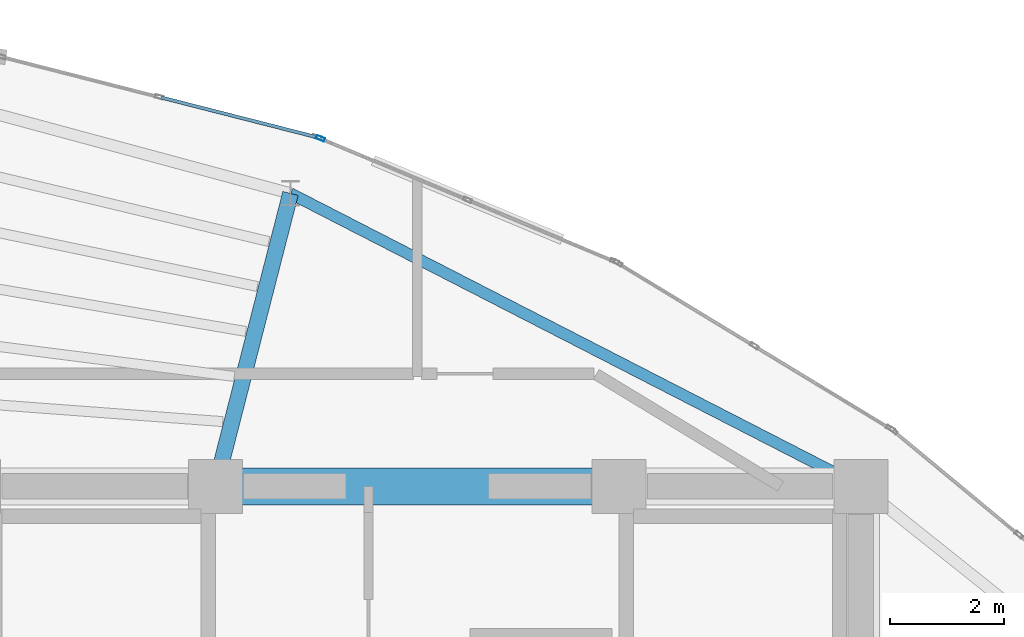
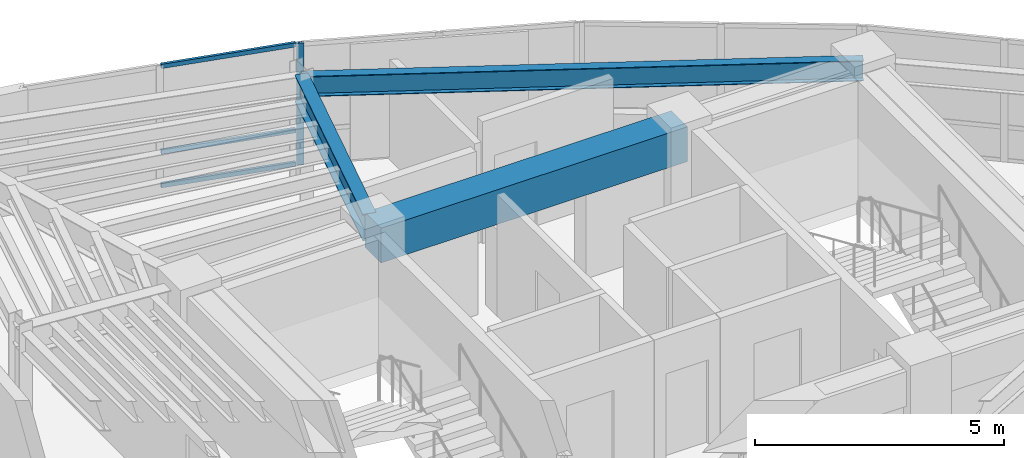
# One storey, part 8 of 14: 4 members, 3 beams, 2 elements without a shape of their own.
"""IFC4 building model written with IfcOpenShell, lengths in metres."""

from ifc_helpers import new_model, si_unit, direction, frame, origin, origin_2d, place, context, subcontext, project, spatial, rectangle, hollow_rectangle, i_section, extrude, material, layer, layer_set, material_profile, profile_set, type_object, element, aggregate, save


model = new_model("IFC4")

# Units and contexts
model_context = context("Model", 3, precision=1e-05, world=origin(), true_north=direction((0.0, 1.0)))
body_context = subcontext(model_context, "Body", "Model", "MODEL_VIEW")
ifc_project = project(units=[si_unit("LENGTHUNIT", "METRE"), si_unit("AREAUNIT", "SQUARE_METRE"), si_unit("VOLUMEUNIT", "CUBIC_METRE"), si_unit("PLANEANGLEUNIT", "RADIAN"), si_unit("MASSUNIT", "GRAM", prefix="KILO")], contexts=[model_context])

# Site, building, storey
site_placement = place(None, origin())
site = spatial("IfcSite", under=ifc_project, at=site_placement, CompositionType="ELEMENT")
building_placement = place(site_placement, origin())
building = spatial("IfcBuilding", under=site, at=building_placement, Name="Menara Vayukalpa", CompositionType="ELEMENT")
storey_placement = place(building_placement, frame((0.0, 0.0, 299.219970703125)))
storey = spatial("IfcBuildingStorey", under=building, at=storey_placement, Name="L76", CompositionType="ELEMENT", Elevation=299.219970703125)

# Beams
ifc_material_1 = material(Name="Concrete C60/75", Category="concrete")
ifc_material_profile_1 = material_profile(ifc_material_1, rectangle(XDim=0.64990234375, YDim=0.85009765625, at=origin_2d()), Name="RC 650x850")
ifc_profile_set_1 = profile_set([ifc_material_profile_1], Name="Concrete C60/75")
beam_type_1 = type_object("IfcBeamType", Name="BM-CB1", PredefinedType="BEAM", material=ifc_profile_set_1)
beam_1_placement = place(storey_placement, frame((22.050048828125, 26.800048828125, 2.554931640625), z_axis=(1.0, 0.0, 0.0), x_axis=(0.0, 1.0, 0.0)))
element("IfcBeam", 1, at=beam_1_placement, inside=storey, type_object=beam_type_1, Name="L76 Core Tie Beam CBR5", PredefinedType="BEAM", context=body_context, shape_type="SweptSolid", body=[
    extrude(rectangle(XDim=0.64990234375, YDim=0.85009765625, at=origin_2d()), origin(), (0.0, 0.0, 1.0), 7.099853515625),
])
ifc_material_2 = material(Name="Steel S355", Category="steel")
ifc_material_profile_2 = material_profile(ifc_material_2, i_section(OverallWidth=0.280029296875, OverallDepth=0.64990234375, WebThickness=0.012939453125, FlangeThickness=0.02197265625, at=origin_2d()), Name="WF 650x280x13x22")
ifc_profile_set_2 = profile_set([ifc_material_profile_2], Name="Steel S355")
beam_type_2 = type_object("IfcBeamType", Name="BM-PG6", PredefinedType="BEAM", material=ifc_profile_set_2)
beam_2_placement = place(storey_placement, frame((22.112060546875, 27.042236328125, 2.655029296875), z_axis=(0.248427525231, 0.968650486351, 0.0), x_axis=(-0.968650486351, 0.248427525231, 0.0)))
element("IfcBeam", 2, at=beam_2_placement, inside=storey, type_object=beam_type_2, Name="L76 Primary Radial Girder RG03", PredefinedType="BEAM", context=body_context, shape_type="SweptSolid", body=[
    extrude(i_section(OverallWidth=0.280029296875, OverallDepth=0.64990234375, WebThickness=0.012939453125, FlangeThickness=0.02197265625, at=origin_2d()), origin(), (0.0, 0.0, 1.0), 5.066162109375),
])
ifc_material_3 = material(Name="Steel S355", Category="steel")
ifc_material_profile_3 = material_profile(ifc_material_3, i_section(OverallWidth=0.199951171875, OverallDepth=0.5, WebThickness=0.010009765625, FlangeThickness=0.01611328125, at=origin_2d()), Name="WF 500x200x10x16")
ifc_profile_set_3 = profile_set([ifc_material_profile_3], Name="Steel S355")
beam_type_3 = type_object("IfcBeamType", Name="BM-SP3", PredefinedType="SPANDREL", material=ifc_profile_set_3)
beam_3_placement = place(storey_placement, frame((33.39990234375, 26.800048828125, 2.72998046875), z_axis=(-0.889594604964, 0.456750959297, 0.0), x_axis=(-0.456750959297, -0.889594604964, 0.0)))
element("IfcBeam", 3, at=beam_3_placement, inside=storey, type_object=beam_type_3, Name="L76 Perimeter Spandrel Beam SP02", PredefinedType="SPANDREL", context=body_context, shape_type="SweptSolid", body=[
    extrude(i_section(OverallWidth=0.199951171875, OverallDepth=0.5, WebThickness=0.010009765625, FlangeThickness=0.01611328125, at=origin_2d()), origin(), (0.0, 0.0, 1.0), 11.27392578125),
])

# Curtain wall, member
ifc_material_4 = material(Name="Anodised Terracotta Aluminium Alloy 6063-T6", Category="masonry")
ifc_layer = layer(ifc_material_4, 0.14990234375)
ifc_layer_set = layer_set([ifc_layer], Name="Anodised Terracotta Aluminium Alloy 6063-T6")
curtain_wall_type = type_object("IfcCurtainWallType", Name="CW-CW7", PredefinedType="USERDEFINED", material=ifc_layer_set)
curtain_wall_1_placement = place(storey_placement, origin())
curtain_wall_1 = element("IfcCurtainWall", 4, at=curtain_wall_1_placement, inside=storey, type_object=curtain_wall_type, Name="L76 Crown Drum Screened Curtain Wall CW7 05", ObjectType="UNITISED", PredefinedType="USERDEFINED")
ifc_material_5 = material(Name="Anodised Terracotta Aluminium Alloy 6063-T6", Category="masonry")
ifc_material_profile_4 = material_profile(ifc_material_5, hollow_rectangle(XDim=0.06494140625, YDim=0.14990234375, WallThickness=0.00341796875, at=origin_2d()), Name="ALU 65x150x3.5")
ifc_profile_set_4 = profile_set([ifc_material_profile_4], Name="Anodised Terracotta Aluminium Alloy 6063-T6")
member_type_1 = type_object("IfcMemberType", Name="CWM-CW7", PredefinedType="MULLION", material=ifc_profile_set_4)
member_1_placement = place(storey_placement, frame((23.89990234375, 32.9169921875, 0.0), z_axis=(0.0, 0.0, 1.0), x_axis=(-0.385898361946, -0.922541302191, 0.0)))
member_1 = element("IfcMember", 5, at=member_1_placement, type_object=member_type_1, Name="CW7 mullion 3", PredefinedType="MULLION", context=body_context, shape_type="SweptSolid", body=[
    extrude(hollow_rectangle(XDim=0.06494140625, YDim=0.14990234375, WallThickness=0.00341796875, at=origin_2d()), origin(), (0.0, 0.0, 1.0), 2.97998046875),
])
aggregate(curtain_wall_1, [member_1])

# Curtain wall, members
curtain_wall_2_placement = place(storey_placement, origin())
curtain_wall_2 = element("IfcCurtainWall", 6, at=curtain_wall_2_placement, inside=storey, type_object=curtain_wall_type, Name="L76 Crown Drum Screened Curtain Wall CW7 06", ObjectType="UNITISED", PredefinedType="USERDEFINED")
ifc_material_6 = material(Name="Anodised Terracotta Aluminium Alloy 6063-T6", Category="masonry")
ifc_material_profile_5 = material_profile(ifc_material_6, hollow_rectangle(XDim=0.06005859375, YDim=0.10498046875, WallThickness=0.0029296875, at=origin_2d()), Name="ALU 60x105x3")
ifc_profile_set_5 = profile_set([ifc_material_profile_5], Name="Anodised Terracotta Aluminium Alloy 6063-T6")
member_type_2 = type_object("IfcMemberType", Name="CWT-CW7", PredefinedType="USERDEFINED", material=ifc_profile_set_5)
member_2_placement = place(storey_placement, frame((23.806884765625, 32.945556640625, 0.030029296875), z_axis=(-0.968962149671, 0.247209127066, 0.0), x_axis=(-0.247209127066, -0.968962149671, 0.0)))
member_2 = element("IfcMember", 7, at=member_2_placement, type_object=member_type_2, Name="CW7 transom 1.1", ObjectType="TRANSOM", PredefinedType="USERDEFINED", context=body_context, shape_type="SweptSolid", body=[
    extrude(hollow_rectangle(XDim=0.06005859375, YDim=0.10498046875, WallThickness=0.0029296875, at=origin_2d()), origin(), (0.0, 0.0, 1.0), 2.80078125),
])
member_3_placement = place(storey_placement, frame((23.806884765625, 32.945556640625, 0.85009765625), z_axis=(-0.968962149671, 0.247209127066, 0.0), x_axis=(-0.247209127066, -0.968962149671, 0.0)))
member_3 = element("IfcMember", 8, at=member_3_placement, type_object=member_type_2, Name="CW7 transom 1.2", ObjectType="TRANSOM", PredefinedType="USERDEFINED", context=body_context, shape_type="SweptSolid", body=[
    extrude(hollow_rectangle(XDim=0.06005859375, YDim=0.10498046875, WallThickness=0.0029296875, at=origin_2d()), origin(), (0.0, 0.0, 1.0), 2.80078125),
])
member_4_placement = place(storey_placement, frame((23.806884765625, 32.945556640625, 2.949951171875), z_axis=(-0.968962149671, 0.247209127066, 0.0), x_axis=(-0.247209127066, -0.968962149671, 0.0)))
member_4 = element("IfcMember", 9, at=member_4_placement, type_object=member_type_2, Name="CW7 transom 1.3", ObjectType="TRANSOM", PredefinedType="USERDEFINED", context=body_context, shape_type="SweptSolid", body=[
    extrude(hollow_rectangle(XDim=0.06005859375, YDim=0.10498046875, WallThickness=0.0029296875, at=origin_2d()), origin(), (0.0, 0.0, 1.0), 2.80078125),
])
aggregate(curtain_wall_2, [member_2, member_3, member_4])

save(model, "model.ifc")
